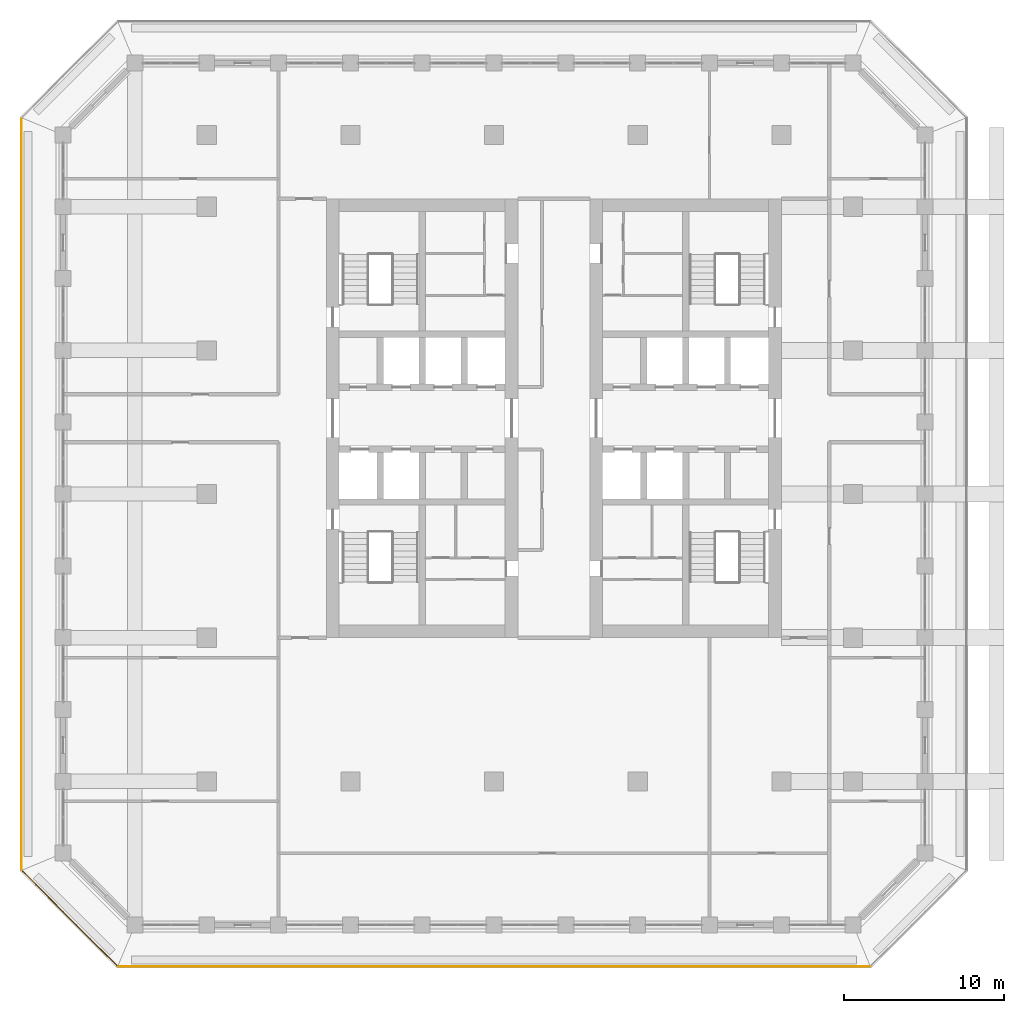
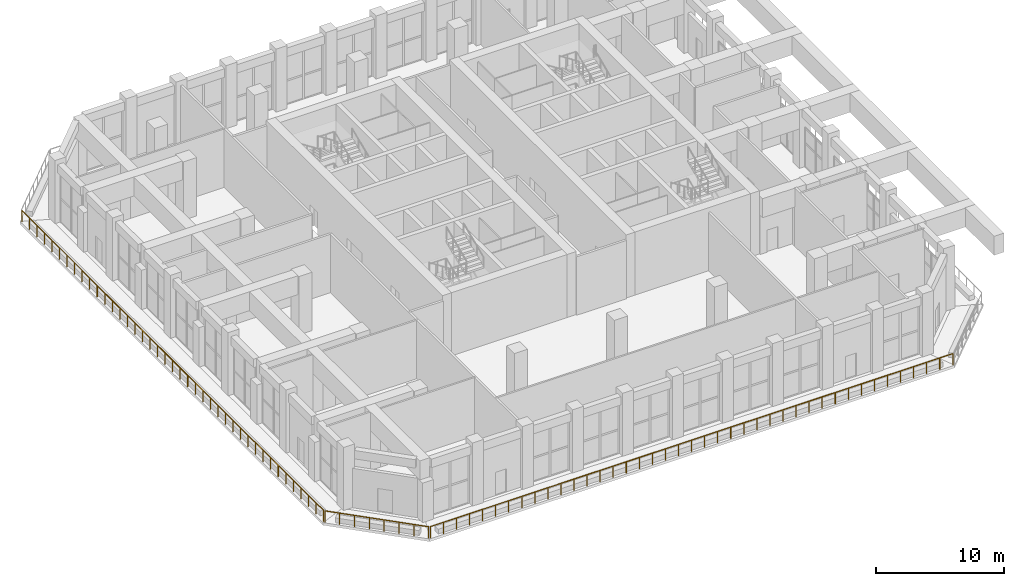
# One storey, part 18 of 25: 3 railings.
"""IFC4 building model written with IfcOpenShell, lengths in metres."""

from ifc_helpers import new_model, si_unit, direction, frame, origin, origin_2d, place, context, subcontext, project, spatial, circle, extrude, material, type_object, element, save


model = new_model("IFC4")

# Units and contexts
model_context = context("Model", 3, precision=1e-05, world=origin(), true_north=direction((0.0, 1.0)))
body_context = subcontext(model_context, "Body", "Model", "MODEL_VIEW")
ifc_project = project(units=[si_unit("LENGTHUNIT", "METRE"), si_unit("AREAUNIT", "SQUARE_METRE"), si_unit("VOLUMEUNIT", "CUBIC_METRE"), si_unit("PLANEANGLEUNIT", "RADIAN"), si_unit("MASSUNIT", "GRAM", prefix="KILO")], contexts=[model_context])

# Site, building, storey
site_placement = place(None, origin())
site = spatial("IfcSite", under=ifc_project, at=site_placement, CompositionType="ELEMENT")
building_placement = place(site_placement, origin())
building = spatial("IfcBuilding", under=site, at=building_placement, Name="Corbel Stack Research Tower", CompositionType="ELEMENT")
storey_placement = place(building_placement, frame((0.0, 0.0, 185.5)))
storey = spatial("IfcBuildingStorey", under=building, at=storey_placement, Name="L42", CompositionType="ELEMENT", Elevation=185.5)

# Railings
ifc_material = material(Name="Powder-coated steel guard", Category="steel")
railing_type = type_object("IfcRailingType", Name="Steel and glass guard 1100", PredefinedType="GUARDRAIL", material=ifc_material)
railing_1_placement = place(storey_placement, frame((-23.50537109375, -29.60009765625, 0.0)))
element("IfcRailing", 1, at=railing_1_placement, inside=storey, type_object=railing_type, Name="Loggia guard L42 S", PredefinedType="GUARDRAIL", context=body_context, shape_type="SweptSolid", body=[
    extrude(circle(Radius=0.02392578125, at=origin_2d()), frame((0.0, 0.0, 1.076171875), z_axis=(1.0, 0.0, 0.0), x_axis=(0.0, 1.0, 0.0)), (0.0, 0.0, 1.0), 47.0107421875),
    extrude(circle(Radius=0.02099609375, at=origin_2d()), origin(), (0.0, 0.0, 1.0), 1.052001953125),
    extrude(circle(Radius=0.02099609375, at=origin_2d()), frame((1.17529296875, 0.0, 0.0)), (0.0, 0.0, 1.0), 1.052001953125),
    extrude(circle(Radius=0.02099609375, at=origin_2d()), frame((2.3505859375, 0.0, 0.0)), (0.0, 0.0, 1.0), 1.052001953125),
    extrude(circle(Radius=0.02099609375, at=origin_2d()), frame((3.52587890625, 0.0, 0.0)), (0.0, 0.0, 1.0), 1.052001953125),
    extrude(circle(Radius=0.02099609375, at=origin_2d()), frame((4.701171875, 0.0, 0.0)), (0.0, 0.0, 1.0), 1.052001953125),
    extrude(circle(Radius=0.02099609375, at=origin_2d()), frame((5.87646484375, 0.0, 0.0)), (0.0, 0.0, 1.0), 1.052001953125),
    extrude(circle(Radius=0.02099609375, at=origin_2d()), frame((7.051513671875, 0.0, 0.0)), (0.0, 0.0, 1.0), 1.052001953125),
    extrude(circle(Radius=0.02099609375, at=origin_2d()), frame((8.226806640625, 0.0, 0.0)), (0.0, 0.0, 1.0), 1.052001953125),
    extrude(circle(Radius=0.02099609375, at=origin_2d()), frame((9.402099609375, 0.0, 0.0)), (0.0, 0.0, 1.0), 1.052001953125),
    extrude(circle(Radius=0.02099609375, at=origin_2d()), frame((10.577392578125, 0.0, 0.0)), (0.0, 0.0, 1.0), 1.052001953125),
    extrude(circle(Radius=0.02099609375, at=origin_2d()), frame((11.752685546875, 0.0, 0.0)), (0.0, 0.0, 1.0), 1.052001953125),
    extrude(circle(Radius=0.02099609375, at=origin_2d()), frame((12.927978515625, 0.0, 0.0)), (0.0, 0.0, 1.0), 1.052001953125),
    extrude(circle(Radius=0.02099609375, at=origin_2d()), frame((14.103271484375, 0.0, 0.0)), (0.0, 0.0, 1.0), 1.052001953125),
    extrude(circle(Radius=0.02099609375, at=origin_2d()), frame((15.278564453125, 0.0, 0.0)), (0.0, 0.0, 1.0), 1.052001953125),
    extrude(circle(Radius=0.02099609375, at=origin_2d()), frame((16.453857421875, 0.0, 0.0)), (0.0, 0.0, 1.0), 1.052001953125),
    extrude(circle(Radius=0.02099609375, at=origin_2d()), frame((17.62890625, 0.0, 0.0)), (0.0, 0.0, 1.0), 1.052001953125),
    extrude(circle(Radius=0.02099609375, at=origin_2d()), frame((18.80419921875, 0.0, 0.0)), (0.0, 0.0, 1.0), 1.052001953125),
    extrude(circle(Radius=0.02099609375, at=origin_2d()), frame((19.9794921875, 0.0, 0.0)), (0.0, 0.0, 1.0), 1.052001953125),
    extrude(circle(Radius=0.02099609375, at=origin_2d()), frame((21.15478515625, 0.0, 0.0)), (0.0, 0.0, 1.0), 1.052001953125),
    extrude(circle(Radius=0.02099609375, at=origin_2d()), frame((22.330078125, 0.0, 0.0)), (0.0, 0.0, 1.0), 1.052001953125),
    extrude(circle(Radius=0.02099609375, at=origin_2d()), frame((23.50537109375, 0.0, 0.0)), (0.0, 0.0, 1.0), 1.052001953125),
    extrude(circle(Radius=0.02099609375, at=origin_2d()), frame((24.6806640625, 0.0, 0.0)), (0.0, 0.0, 1.0), 1.052001953125),
    extrude(circle(Radius=0.02099609375, at=origin_2d()), frame((25.85595703125, 0.0, 0.0)), (0.0, 0.0, 1.0), 1.052001953125),
    extrude(circle(Radius=0.02099609375, at=origin_2d()), frame((27.03125, 0.0, 0.0)), (0.0, 0.0, 1.0), 1.052001953125),
    extrude(circle(Radius=0.02099609375, at=origin_2d()), frame((28.20654296875, 0.0, 0.0)), (0.0, 0.0, 1.0), 1.052001953125),
    extrude(circle(Radius=0.02099609375, at=origin_2d()), frame((29.3818359375, 0.0, 0.0)), (0.0, 0.0, 1.0), 1.052001953125),
    extrude(circle(Radius=0.02099609375, at=origin_2d()), frame((30.556884765625, 0.0, 0.0)), (0.0, 0.0, 1.0), 1.052001953125),
    extrude(circle(Radius=0.02099609375, at=origin_2d()), frame((31.732177734375, 0.0, 0.0)), (0.0, 0.0, 1.0), 1.052001953125),
    extrude(circle(Radius=0.02099609375, at=origin_2d()), frame((32.907470703125, 0.0, 0.0)), (0.0, 0.0, 1.0), 1.052001953125),
    extrude(circle(Radius=0.02099609375, at=origin_2d()), frame((34.082763671875, 0.0, 0.0)), (0.0, 0.0, 1.0), 1.052001953125),
    extrude(circle(Radius=0.02099609375, at=origin_2d()), frame((35.258056640625, 0.0, 0.0)), (0.0, 0.0, 1.0), 1.052001953125),
    extrude(circle(Radius=0.02099609375, at=origin_2d()), frame((36.433349609375, 0.0, 0.0)), (0.0, 0.0, 1.0), 1.052001953125),
    extrude(circle(Radius=0.02099609375, at=origin_2d()), frame((37.608642578125, 0.0, 0.0)), (0.0, 0.0, 1.0), 1.052001953125),
    extrude(circle(Radius=0.02099609375, at=origin_2d()), frame((38.783935546875, 0.0, 0.0)), (0.0, 0.0, 1.0), 1.052001953125),
    extrude(circle(Radius=0.02099609375, at=origin_2d()), frame((39.959228515625, 0.0, 0.0)), (0.0, 0.0, 1.0), 1.052001953125),
    extrude(circle(Radius=0.02099609375, at=origin_2d()), frame((41.13427734375, 0.0, 0.0)), (0.0, 0.0, 1.0), 1.052001953125),
    extrude(circle(Radius=0.02099609375, at=origin_2d()), frame((42.3095703125, 0.0, 0.0)), (0.0, 0.0, 1.0), 1.052001953125),
    extrude(circle(Radius=0.02099609375, at=origin_2d()), frame((43.48486328125, 0.0, 0.0)), (0.0, 0.0, 1.0), 1.052001953125),
    extrude(circle(Radius=0.02099609375, at=origin_2d()), frame((44.66015625, 0.0, 0.0)), (0.0, 0.0, 1.0), 1.052001953125),
    extrude(circle(Radius=0.02099609375, at=origin_2d()), frame((45.83544921875, 0.0, 0.0)), (0.0, 0.0, 1.0), 1.052001953125),
    extrude(circle(Radius=0.02099609375, at=origin_2d()), frame((47.0107421875, 0.0, 0.0)), (0.0, 0.0, 1.0), 1.052001953125),
])
railing_2_placement = place(storey_placement, frame((-29.60009765625, 23.50537109375, 0.0)))
element("IfcRailing", 2, at=railing_2_placement, inside=storey, type_object=railing_type, Name="Loggia guard L42 W", PredefinedType="GUARDRAIL", context=body_context, shape_type="SweptSolid", body=[
    extrude(circle(Radius=0.02392578125, at=origin_2d()), frame((0.0, 0.0, 1.076171875), z_axis=(0.0, -1.0, 0.0), x_axis=(1.0, 0.0, 0.0)), (0.0, 0.0, 1.0), 47.0107421875),
    extrude(circle(Radius=0.02099609375, at=origin_2d()), origin(), (0.0, 0.0, 1.0), 1.052001953125),
    extrude(circle(Radius=0.02099609375, at=origin_2d()), frame((0.0, -1.17529296875, 0.0)), (0.0, 0.0, 1.0), 1.052001953125),
    extrude(circle(Radius=0.02099609375, at=origin_2d()), frame((0.0, -2.3505859375, 0.0)), (0.0, 0.0, 1.0), 1.052001953125),
    extrude(circle(Radius=0.02099609375, at=origin_2d()), frame((0.0, -3.52587890625, 0.0)), (0.0, 0.0, 1.0), 1.052001953125),
    extrude(circle(Radius=0.02099609375, at=origin_2d()), frame((0.0, -4.701171875, 0.0)), (0.0, 0.0, 1.0), 1.052001953125),
    extrude(circle(Radius=0.02099609375, at=origin_2d()), frame((0.0, -5.87646484375, 0.0)), (0.0, 0.0, 1.0), 1.052001953125),
    extrude(circle(Radius=0.02099609375, at=origin_2d()), frame((0.0, -7.051513671875, 0.0)), (0.0, 0.0, 1.0), 1.052001953125),
    extrude(circle(Radius=0.02099609375, at=origin_2d()), frame((0.0, -8.226806640625, 0.0)), (0.0, 0.0, 1.0), 1.052001953125),
    extrude(circle(Radius=0.02099609375, at=origin_2d()), frame((0.0, -9.402099609375, 0.0)), (0.0, 0.0, 1.0), 1.052001953125),
    extrude(circle(Radius=0.02099609375, at=origin_2d()), frame((0.0, -10.577392578125, 0.0)), (0.0, 0.0, 1.0), 1.052001953125),
    extrude(circle(Radius=0.02099609375, at=origin_2d()), frame((0.0, -11.752685546875, 0.0)), (0.0, 0.0, 1.0), 1.052001953125),
    extrude(circle(Radius=0.02099609375, at=origin_2d()), frame((0.0, -12.927978515625, 0.0)), (0.0, 0.0, 1.0), 1.052001953125),
    extrude(circle(Radius=0.02099609375, at=origin_2d()), frame((0.0, -14.103271484375, 0.0)), (0.0, 0.0, 1.0), 1.052001953125),
    extrude(circle(Radius=0.02099609375, at=origin_2d()), frame((0.0, -15.278564453125, 0.0)), (0.0, 0.0, 1.0), 1.052001953125),
    extrude(circle(Radius=0.02099609375, at=origin_2d()), frame((0.0, -16.453857421875, 0.0)), (0.0, 0.0, 1.0), 1.052001953125),
    extrude(circle(Radius=0.02099609375, at=origin_2d()), frame((0.0, -17.62890625, 0.0)), (0.0, 0.0, 1.0), 1.052001953125),
    extrude(circle(Radius=0.02099609375, at=origin_2d()), frame((0.0, -18.80419921875, 0.0)), (0.0, 0.0, 1.0), 1.052001953125),
    extrude(circle(Radius=0.02099609375, at=origin_2d()), frame((0.0, -19.9794921875, 0.0)), (0.0, 0.0, 1.0), 1.052001953125),
    extrude(circle(Radius=0.02099609375, at=origin_2d()), frame((0.0, -21.15478515625, 0.0)), (0.0, 0.0, 1.0), 1.052001953125),
    extrude(circle(Radius=0.02099609375, at=origin_2d()), frame((0.0, -22.330078125, 0.0)), (0.0, 0.0, 1.0), 1.052001953125),
    extrude(circle(Radius=0.02099609375, at=origin_2d()), frame((0.0, -23.50537109375, 0.0)), (0.0, 0.0, 1.0), 1.052001953125),
    extrude(circle(Radius=0.02099609375, at=origin_2d()), frame((0.0, -24.6806640625, 0.0)), (0.0, 0.0, 1.0), 1.052001953125),
    extrude(circle(Radius=0.02099609375, at=origin_2d()), frame((0.0, -25.85595703125, 0.0)), (0.0, 0.0, 1.0), 1.052001953125),
    extrude(circle(Radius=0.02099609375, at=origin_2d()), frame((0.0, -27.03125, 0.0)), (0.0, 0.0, 1.0), 1.052001953125),
    extrude(circle(Radius=0.02099609375, at=origin_2d()), frame((0.0, -28.20654296875, 0.0)), (0.0, 0.0, 1.0), 1.052001953125),
    extrude(circle(Radius=0.02099609375, at=origin_2d()), frame((0.0, -29.3818359375, 0.0)), (0.0, 0.0, 1.0), 1.052001953125),
    extrude(circle(Radius=0.02099609375, at=origin_2d()), frame((0.0, -30.556884765625, 0.0)), (0.0, 0.0, 1.0), 1.052001953125),
    extrude(circle(Radius=0.02099609375, at=origin_2d()), frame((0.0, -31.732177734375, 0.0)), (0.0, 0.0, 1.0), 1.052001953125),
    extrude(circle(Radius=0.02099609375, at=origin_2d()), frame((0.0, -32.907470703125, 0.0)), (0.0, 0.0, 1.0), 1.052001953125),
    extrude(circle(Radius=0.02099609375, at=origin_2d()), frame((0.0, -34.082763671875, 0.0)), (0.0, 0.0, 1.0), 1.052001953125),
    extrude(circle(Radius=0.02099609375, at=origin_2d()), frame((0.0, -35.258056640625, 0.0)), (0.0, 0.0, 1.0), 1.052001953125),
    extrude(circle(Radius=0.02099609375, at=origin_2d()), frame((0.0, -36.433349609375, 0.0)), (0.0, 0.0, 1.0), 1.052001953125),
    extrude(circle(Radius=0.02099609375, at=origin_2d()), frame((0.0, -37.608642578125, 0.0)), (0.0, 0.0, 1.0), 1.052001953125),
    extrude(circle(Radius=0.02099609375, at=origin_2d()), frame((0.0, -38.783935546875, 0.0)), (0.0, 0.0, 1.0), 1.052001953125),
    extrude(circle(Radius=0.02099609375, at=origin_2d()), frame((0.0, -39.959228515625, 0.0)), (0.0, 0.0, 1.0), 1.052001953125),
    extrude(circle(Radius=0.02099609375, at=origin_2d()), frame((0.0, -41.13427734375, 0.0)), (0.0, 0.0, 1.0), 1.052001953125),
    extrude(circle(Radius=0.02099609375, at=origin_2d()), frame((0.0, -42.3095703125, 0.0)), (0.0, 0.0, 1.0), 1.052001953125),
    extrude(circle(Radius=0.02099609375, at=origin_2d()), frame((0.0, -43.48486328125, 0.0)), (0.0, 0.0, 1.0), 1.052001953125),
    extrude(circle(Radius=0.02099609375, at=origin_2d()), frame((0.0, -44.66015625, 0.0)), (0.0, 0.0, 1.0), 1.052001953125),
    extrude(circle(Radius=0.02099609375, at=origin_2d()), frame((0.0, -45.83544921875, 0.0)), (0.0, 0.0, 1.0), 1.052001953125),
    extrude(circle(Radius=0.02099609375, at=origin_2d()), frame((0.0, -47.0107421875, 0.0)), (0.0, 0.0, 1.0), 1.052001953125),
])
railing_3_placement = place(storey_placement, frame((-29.54931640625, -23.627685546875, 0.0)))
element("IfcRailing", 3, at=railing_3_placement, inside=storey, type_object=railing_type, Name="Loggia guard L42 SW", PredefinedType="GUARDRAIL", context=body_context, shape_type="SweptSolid", body=[
    extrude(circle(Radius=0.02392578125, at=origin_2d()), frame((0.0, 0.0, 1.076171875), z_axis=(0.707106781187, -0.707106781187, 0.0), x_axis=(0.707106781187, 0.707106781187, 0.0)), (0.0, 0.0, 1.0), 8.37451171875),
    extrude(circle(Radius=0.02099609375, at=origin_2d()), origin(), (0.0, 0.0, 1.0), 1.052001953125),
    extrude(circle(Radius=0.02099609375, at=origin_2d()), frame((0.845947265625, -0.845947265625, 0.0)), (0.0, 0.0, 1.0), 1.052001953125),
    extrude(circle(Radius=0.02099609375, at=origin_2d()), frame((1.69189453125, -1.69189453125, 0.0)), (0.0, 0.0, 1.0), 1.052001953125),
    extrude(circle(Radius=0.02099609375, at=origin_2d()), frame((2.537841796875, -2.537841796875, 0.0)), (0.0, 0.0, 1.0), 1.052001953125),
    extrude(circle(Radius=0.02099609375, at=origin_2d()), frame((3.3837890625, -3.3837890625, 0.0)), (0.0, 0.0, 1.0), 1.052001953125),
    extrude(circle(Radius=0.02099609375, at=origin_2d()), frame((4.229736328125, -4.229736328125, 0.0)), (0.0, 0.0, 1.0), 1.052001953125),
    extrude(circle(Radius=0.02099609375, at=origin_2d()), frame((5.07568359375, -5.07568359375, 0.0)), (0.0, 0.0, 1.0), 1.052001953125),
    extrude(circle(Radius=0.02099609375, at=origin_2d()), frame((5.921630859375, -5.921630859375, 0.0)), (0.0, 0.0, 1.0), 1.052001953125),
])

save(model, "model.ifc")
